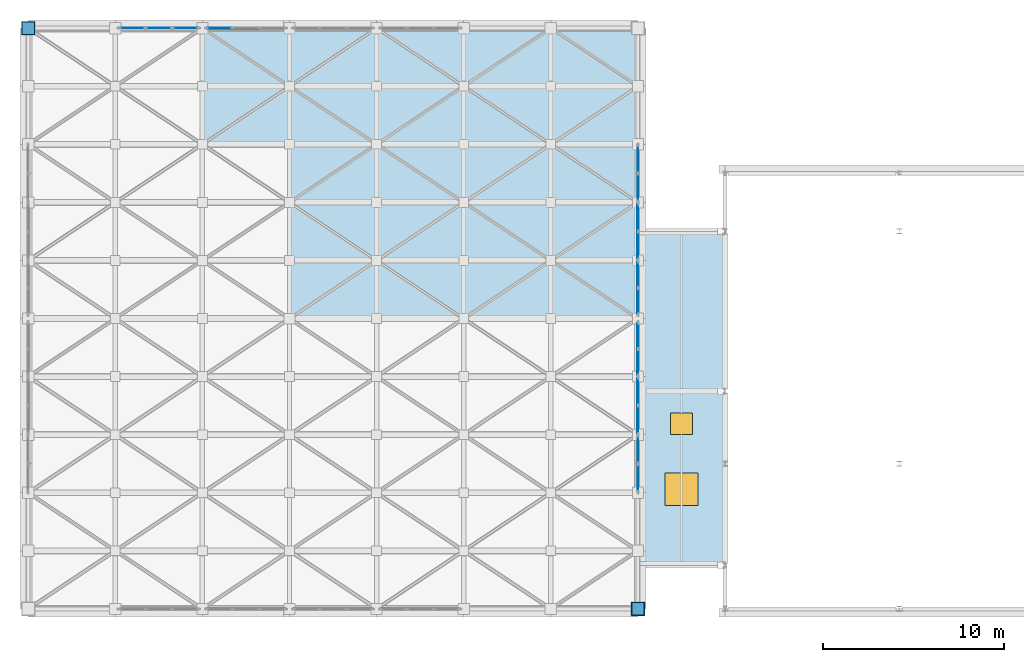
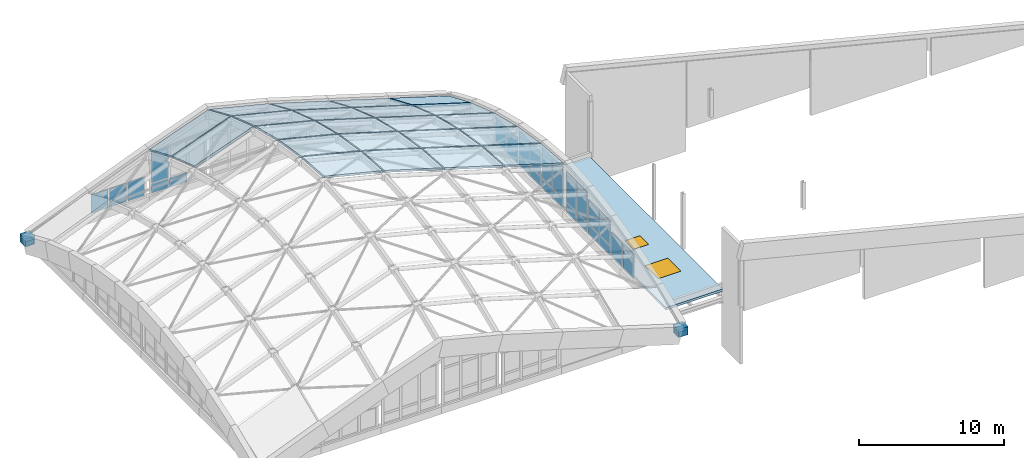
# One storey, part 11 of 14: 30 plates, 23 slabs, 2 windows, 2 openings, 8 elements without a shape of their own.
"""IFC4 building model written with IfcOpenShell, lengths in metres."""

from ifc_helpers import new_model, si_unit, direction, frame, origin, origin_2d, place, context, subcontext, project, spatial, polyline, rectangle, outline, extrude, material, layer, layer_set, type_object, element, fill, aggregate, save


model = new_model("IFC4")

# Units and contexts
model_context = context("Model", 3, precision=1e-05, world=origin(), true_north=direction((0.0, 1.0)))
body_context = subcontext(model_context, "Body", "Model", "MODEL_VIEW")
ifc_project = project(units=[si_unit("LENGTHUNIT", "METRE"), si_unit("AREAUNIT", "SQUARE_METRE"), si_unit("VOLUMEUNIT", "CUBIC_METRE"), si_unit("PLANEANGLEUNIT", "RADIAN"), si_unit("MASSUNIT", "GRAM", prefix="KILO")], contexts=[model_context])

# Site, building, storey
site_placement = place(None, origin())
site = spatial("IfcSite", under=ifc_project, at=site_placement, CompositionType="ELEMENT")
building_placement = place(site_placement, origin())
building = spatial("IfcBuilding", under=site, at=building_placement, Name="Dunescarp Central Library", CompositionType="ELEMENT")
storey_placement = place(building_placement, frame((0.0, 0.0, 31.800048828125)))
storey = spatial("IfcBuildingStorey", under=building, at=storey_placement, Name="ROOF", CompositionType="ELEMENT", Elevation=31.800048828125)

# Curtain wall, plates
ifc_material_1 = material(Name="Marine-grade anodised aluminium 6063-T6", Category="aluminium")
curtain_wall_type = type_object("IfcCurtainWallType", Name="ARC-CW-CROWN", PredefinedType="NOTDEFINED", material=ifc_material_1)
curtain_wall_1_placement = place(storey_placement, origin())
curtain_wall_1 = element("IfcCurtainWall", 1, at=curtain_wall_1_placement, inside=storey, type_object=curtain_wall_type, Name="ROOF curtain wall CW-CROWN-N2", PredefinedType="NOTDEFINED")
ifc_material_2 = material(Name="Solar-control laminated double glazing", Category="glass")
ifc_layer_1 = layer(ifc_material_2, 0.031982421875)
ifc_layer_set_1 = layer_set([ifc_layer_1], Name="Solar-control laminated double glazing")
plate_type_1 = type_object("IfcPlateType", Name="ARC-PLT-GLZ32", PredefinedType="CURTAIN_PANEL", material=ifc_layer_set_1)
plate_1_placement = place(storey_placement, frame((5.7392578125, 36.800048828125, 0.080078125), z_axis=(0.0, 0.0, 1.0), x_axis=(1.0, 0.0, 0.0)))
plate_1 = element("IfcPlate", 2, at=plate_1_placement, type_object=plate_type_1, Name="CW-CROWN-N2 panel 1.1", PredefinedType="CURTAIN_PANEL", context=body_context, shape_type="SweptSolid", body=[
    extrude(rectangle(XDim=1.348388671875, YDim=0.031982421875, at=origin_2d()), origin(), (0.0, 0.0, 1.0), 1.590087890625),
])
plate_2_placement = place(storey_placement, frame((7.199951171875, 36.800048828125, 0.080078125), z_axis=(0.0, 0.0, 1.0), x_axis=(1.0, 0.0, 0.0)))
plate_2 = element("IfcPlate", 3, at=plate_2_placement, type_object=plate_type_1, Name="CW-CROWN-N2 panel 2.1", PredefinedType="CURTAIN_PANEL", context=body_context, shape_type="SweptSolid", body=[
    extrude(rectangle(XDim=1.393310546875, YDim=0.031982421875, at=origin_2d()), origin(), (0.0, 0.0, 1.0), 1.590087890625),
])
plate_3_placement = place(storey_placement, frame((8.660888671875, 36.800048828125, 0.080078125), z_axis=(0.0, 0.0, 1.0), x_axis=(1.0, 0.0, 0.0)))
plate_3 = element("IfcPlate", 4, at=plate_3_placement, type_object=plate_type_1, Name="CW-CROWN-N2 panel 3.1", PredefinedType="CURTAIN_PANEL", context=body_context, shape_type="SweptSolid", body=[
    extrude(rectangle(XDim=1.348388671875, YDim=0.031982421875, at=origin_2d()), origin(), (0.0, 0.0, 1.0), 1.590087890625),
])
aggregate(curtain_wall_1, [plate_1, plate_2, plate_3])

# Curtain wall, plate
curtain_wall_2_placement = place(storey_placement, origin())
curtain_wall_2 = element("IfcCurtainWall", 5, at=curtain_wall_2_placement, inside=storey, type_object=curtain_wall_type, Name="ROOF curtain wall CW-CROWN-N3", PredefinedType="NOTDEFINED")
plate_4_placement = place(storey_placement, frame((10.5390625, 36.800048828125, 0.93994140625), z_axis=(0.0, 0.0, 1.0), x_axis=(1.0, 0.0, 0.0)))
plate_4 = element("IfcPlate", 6, at=plate_4_placement, type_object=plate_type_1, Name="CW-CROWN-N3 panel 1.2", PredefinedType="CURTAIN_PANEL", context=body_context, shape_type="SweptSolid", body=[
    extrude(rectangle(XDim=1.348388671875, YDim=0.031982421875, at=origin_2d()), origin(), (0.0, 0.0, 1.0), 2.6298828125),
])

# Curtain wall, plates
curtain_wall_3_placement = place(storey_placement, origin())
curtain_wall_3 = element("IfcCurtainWall", 7, at=curtain_wall_3_placement, inside=storey, type_object=curtain_wall_type, Name="ROOF curtain wall CW-CROWN-E3", PredefinedType="NOTDEFINED")
plate_5_placement = place(storey_placement, frame((33.60009765625, 13.577392578125, 0.079833984375), z_axis=(0.0, 0.0, 1.0), x_axis=(0.0, -1.0, 0.0)))
plate_5 = element("IfcPlate", 8, at=plate_5_placement, type_object=plate_type_1, Name="CW-CROWN-E3 panel 1.1", PredefinedType="CURTAIN_PANEL", context=body_context, shape_type="SweptSolid", body=[
    extrude(rectangle(XDim=1.465087890625, YDim=0.031982421875, at=origin_2d()), origin(), (0.0, 0.0, 1.0), 2.080078125),
])
plate_6_placement = place(storey_placement, frame((33.60009765625, 12.0224609375, 0.079833984375), z_axis=(0.0, 0.0, 1.0), x_axis=(0.0, -1.0, 0.0)))
plate_6 = element("IfcPlate", 9, at=plate_6_placement, type_object=plate_type_1, Name="CW-CROWN-E3 panel 2.1", PredefinedType="CURTAIN_PANEL", context=body_context, shape_type="SweptSolid", body=[
    extrude(rectangle(XDim=1.465087890625, YDim=0.031982421875, at=origin_2d()), origin(), (0.0, 0.0, 1.0), 2.080078125),
])
aggregate(curtain_wall_3, [plate_5, plate_6])

curtain_wall_4_placement = place(storey_placement, origin())
curtain_wall_4 = element("IfcCurtainWall", 10, at=curtain_wall_4_placement, inside=storey, type_object=curtain_wall_type, Name="ROOF curtain wall CW-CROWN-E4", PredefinedType="NOTDEFINED")
plate_7_placement = place(storey_placement, frame((33.60009765625, 16.777587890625, 0.93994140625), z_axis=(0.0, 0.0, 1.0), x_axis=(0.0, -1.0, 0.0)))
plate_7 = element("IfcPlate", 11, at=plate_7_placement, type_object=plate_type_1, Name="CW-CROWN-E4 panel 1.2", PredefinedType="CURTAIN_PANEL", context=body_context, shape_type="SweptSolid", body=[
    extrude(rectangle(XDim=1.465087890625, YDim=0.031982421875, at=origin_2d()), origin(), (0.0, 0.0, 1.0), 2.02001953125),
])
plate_8_placement = place(storey_placement, frame((33.60009765625, 15.222412109375, 0.93994140625), z_axis=(0.0, 0.0, 1.0), x_axis=(0.0, -1.0, 0.0)))
plate_8 = element("IfcPlate", 12, at=plate_8_placement, type_object=plate_type_1, Name="CW-CROWN-E4 panel 2.2", PredefinedType="CURTAIN_PANEL", context=body_context, shape_type="SweptSolid", body=[
    extrude(rectangle(XDim=1.465087890625, YDim=0.031982421875, at=origin_2d()), origin(), (0.0, 0.0, 1.0), 2.02001953125),
])

curtain_wall_5_placement = place(storey_placement, origin())
curtain_wall_5 = element("IfcCurtainWall", 13, at=curtain_wall_5_placement, inside=storey, type_object=curtain_wall_type, Name="ROOF curtain wall CW-CROWN-E5", PredefinedType="NOTDEFINED")
plate_9_placement = place(storey_placement, frame((33.60009765625, 19.84619140625, 0.93994140625), z_axis=(0.0, 0.0, 1.0), x_axis=(0.0, -1.0, 0.0)))
plate_9 = element("IfcPlate", 14, at=plate_9_placement, type_object=plate_type_1, Name="CW-CROWN-E5 panel 1.2", PredefinedType="CURTAIN_PANEL", context=body_context, shape_type="SweptSolid", body=[
    extrude(rectangle(XDim=1.37744140625, YDim=0.031982421875, at=origin_2d()), origin(), (0.0, 0.0, 1.0), 2.5400390625),
])
plate_10_placement = place(storey_placement, frame((33.60009765625, 18.378662109375, 0.93994140625), z_axis=(0.0, 0.0, 1.0), x_axis=(0.0, -1.0, 0.0)))
plate_10 = element("IfcPlate", 15, at=plate_10_placement, type_object=plate_type_1, Name="CW-CROWN-E5 panel 2.2", PredefinedType="CURTAIN_PANEL", context=body_context, shape_type="SweptSolid", body=[
    extrude(rectangle(XDim=1.37744140625, YDim=0.031982421875, at=origin_2d()), origin(), (0.0, 0.0, 1.0), 2.5400390625),
])

curtain_wall_6_placement = place(storey_placement, origin())
curtain_wall_6 = element("IfcCurtainWall", 16, at=curtain_wall_6_placement, inside=storey, type_object=curtain_wall_type, Name="ROOF curtain wall CW-CROWN-E6", PredefinedType="NOTDEFINED")
plate_11_placement = place(storey_placement, frame((33.60009765625, 23.22119140625, 0.93994140625), z_axis=(0.0, 0.0, 1.0), x_axis=(0.0, -1.0, 0.0)))
plate_11 = element("IfcPlate", 17, at=plate_11_placement, type_object=plate_type_1, Name="CW-CROWN-E6 panel 1.2", PredefinedType="CURTAIN_PANEL", context=body_context, shape_type="SweptSolid", body=[
    extrude(rectangle(XDim=1.37744140625, YDim=0.031982421875, at=origin_2d()), origin(), (0.0, 0.0, 1.0), 2.5400390625),
])
plate_12_placement = place(storey_placement, frame((33.60009765625, 21.753662109375, 0.93994140625), z_axis=(0.0, 0.0, 1.0), x_axis=(0.0, -1.0, 0.0)))
plate_12 = element("IfcPlate", 18, at=plate_12_placement, type_object=plate_type_1, Name="CW-CROWN-E6 panel 2.2", PredefinedType="CURTAIN_PANEL", context=body_context, shape_type="SweptSolid", body=[
    extrude(rectangle(XDim=1.37744140625, YDim=0.031982421875, at=origin_2d()), origin(), (0.0, 0.0, 1.0), 2.5400390625),
])

curtain_wall_7_placement = place(storey_placement, origin())
curtain_wall_7 = element("IfcCurtainWall", 19, at=curtain_wall_7_placement, inside=storey, type_object=curtain_wall_type, Name="ROOF curtain wall CW-CROWN-E7", PredefinedType="NOTDEFINED")
plate_13_placement = place(storey_placement, frame((33.60009765625, 26.37744140625, 0.93994140625), z_axis=(0.0, 0.0, 1.0), x_axis=(0.0, -1.0, 0.0)))
plate_13 = element("IfcPlate", 20, at=plate_13_placement, type_object=plate_type_1, Name="CW-CROWN-E7 panel 1.2", PredefinedType="CURTAIN_PANEL", context=body_context, shape_type="SweptSolid", body=[
    extrude(rectangle(XDim=1.465087890625, YDim=0.031982421875, at=origin_2d()), origin(), (0.0, 0.0, 1.0), 2.02001953125),
])
plate_14_placement = place(storey_placement, frame((33.60009765625, 24.822509765625, 0.93994140625), z_axis=(0.0, 0.0, 1.0), x_axis=(0.0, -1.0, 0.0)))
plate_14 = element("IfcPlate", 21, at=plate_14_placement, type_object=plate_type_1, Name="CW-CROWN-E7 panel 2.2", PredefinedType="CURTAIN_PANEL", context=body_context, shape_type="SweptSolid", body=[
    extrude(rectangle(XDim=1.465087890625, YDim=0.031982421875, at=origin_2d()), origin(), (0.0, 0.0, 1.0), 2.02001953125),
])

curtain_wall_8_placement = place(storey_placement, origin())
curtain_wall_8 = element("IfcCurtainWall", 22, at=curtain_wall_8_placement, inside=storey, type_object=curtain_wall_type, Name="ROOF curtain wall CW-CROWN-E8", PredefinedType="NOTDEFINED")
plate_15_placement = place(storey_placement, frame((33.60009765625, 29.577392578125, 0.079833984375), z_axis=(0.0, 0.0, 1.0), x_axis=(0.0, -1.0, 0.0)))
plate_15 = element("IfcPlate", 23, at=plate_15_placement, type_object=plate_type_1, Name="CW-CROWN-E8 panel 1.1", PredefinedType="CURTAIN_PANEL", context=body_context, shape_type="SweptSolid", body=[
    extrude(rectangle(XDim=1.465087890625, YDim=0.031982421875, at=origin_2d()), origin(), (0.0, 0.0, 1.0), 2.080078125),
])
plate_16_placement = place(storey_placement, frame((33.60009765625, 28.0224609375, 0.079833984375), z_axis=(0.0, 0.0, 1.0), x_axis=(0.0, -1.0, 0.0)))
plate_16 = element("IfcPlate", 24, at=plate_16_placement, type_object=plate_type_1, Name="CW-CROWN-E8 panel 2.1", PredefinedType="CURTAIN_PANEL", context=body_context, shape_type="SweptSolid", body=[
    extrude(rectangle(XDim=1.465087890625, YDim=0.031982421875, at=origin_2d()), origin(), (0.0, 0.0, 1.0), 2.080078125),
])
aggregate(curtain_wall_8, [plate_15, plate_16])

# Plate
ifc_layer_2 = layer(ifc_material_1, 0.050048828125)
ifc_layer_set_2 = layer_set([ifc_layer_2], Name="Marine-grade anodised aluminium 6063-T6")
plate_type_2 = type_object("IfcPlateType", Name="ARC-PLT-SPN50", PredefinedType="SHEET", material=ifc_layer_set_2)
plate_17_placement = place(storey_placement, frame((10.5390625, 36.800048828125, 0.080078125), z_axis=(0.0, 0.0, 1.0), x_axis=(1.0, 0.0, 0.0)))
plate_17 = element("IfcPlate", 25, at=plate_17_placement, type_object=plate_type_2, Name="CW-CROWN-N3 panel 1.1", PredefinedType="SHEET", context=body_context, shape_type="SweptSolid", body=[
    extrude(rectangle(XDim=1.348388671875, YDim=0.050048828125, at=origin_2d()), origin(), (0.0, 0.0, 1.0), 0.780029296875),
])

plate_18_placement = place(storey_placement, frame((12.0, 36.800048828125, 0.080078125), z_axis=(0.0, 0.0, 1.0), x_axis=(1.0, 0.0, 0.0)))
plate_18 = element("IfcPlate", 26, at=plate_18_placement, type_object=plate_type_2, Name="CW-CROWN-N3 panel 2.1", PredefinedType="SHEET", context=body_context, shape_type="SweptSolid", body=[
    extrude(rectangle(XDim=1.393310546875, YDim=0.050048828125, at=origin_2d()), origin(), (0.0, 0.0, 1.0), 0.780029296875),
])

aggregate(curtain_wall_2, [plate_17, plate_4, plate_18])

plate_19_placement = place(storey_placement, frame((33.60009765625, 16.777587890625, 0.080078125), z_axis=(0.0, 0.0, 1.0), x_axis=(0.0, -1.0, 0.0)))
plate_19 = element("IfcPlate", 27, at=plate_19_placement, type_object=plate_type_2, Name="CW-CROWN-E4 panel 1.1", PredefinedType="SHEET", context=body_context, shape_type="SweptSolid", body=[
    extrude(rectangle(XDim=1.465087890625, YDim=0.050048828125, at=origin_2d()), origin(), (0.0, 0.0, 1.0), 0.780029296875),
])

plate_20_placement = place(storey_placement, frame((33.60009765625, 15.222412109375, 0.080078125), z_axis=(0.0, 0.0, 1.0), x_axis=(0.0, -1.0, 0.0)))
plate_20 = element("IfcPlate", 28, at=plate_20_placement, type_object=plate_type_2, Name="CW-CROWN-E4 panel 2.1", PredefinedType="SHEET", context=body_context, shape_type="SweptSolid", body=[
    extrude(rectangle(XDim=1.465087890625, YDim=0.050048828125, at=origin_2d()), origin(), (0.0, 0.0, 1.0), 0.780029296875),
])

aggregate(curtain_wall_4, [plate_19, plate_7, plate_20, plate_8])

plate_21_placement = place(storey_placement, frame((33.60009765625, 19.84619140625, 0.080078125), z_axis=(0.0, 0.0, 1.0), x_axis=(0.0, -1.0, 0.0)))
plate_21 = element("IfcPlate", 29, at=plate_21_placement, type_object=plate_type_2, Name="CW-CROWN-E5 panel 1.1", PredefinedType="SHEET", context=body_context, shape_type="SweptSolid", body=[
    extrude(rectangle(XDim=1.37744140625, YDim=0.050048828125, at=origin_2d()), origin(), (0.0, 0.0, 1.0), 0.780029296875),
])

plate_22_placement = place(storey_placement, frame((33.60009765625, 18.378662109375, 0.080078125), z_axis=(0.0, 0.0, 1.0), x_axis=(0.0, -1.0, 0.0)))
plate_22 = element("IfcPlate", 30, at=plate_22_placement, type_object=plate_type_2, Name="CW-CROWN-E5 panel 2.1", PredefinedType="SHEET", context=body_context, shape_type="SweptSolid", body=[
    extrude(rectangle(XDim=1.37744140625, YDim=0.050048828125, at=origin_2d()), origin(), (0.0, 0.0, 1.0), 0.780029296875),
])

aggregate(curtain_wall_5, [plate_21, plate_9, plate_22, plate_10])

plate_23_placement = place(storey_placement, frame((33.60009765625, 23.22119140625, 0.080078125), z_axis=(0.0, 0.0, 1.0), x_axis=(0.0, -1.0, 0.0)))
plate_23 = element("IfcPlate", 31, at=plate_23_placement, type_object=plate_type_2, Name="CW-CROWN-E6 panel 1.1", PredefinedType="SHEET", context=body_context, shape_type="SweptSolid", body=[
    extrude(rectangle(XDim=1.37744140625, YDim=0.050048828125, at=origin_2d()), origin(), (0.0, 0.0, 1.0), 0.780029296875),
])

plate_24_placement = place(storey_placement, frame((33.60009765625, 21.753662109375, 0.080078125), z_axis=(0.0, 0.0, 1.0), x_axis=(0.0, -1.0, 0.0)))
plate_24 = element("IfcPlate", 32, at=plate_24_placement, type_object=plate_type_2, Name="CW-CROWN-E6 panel 2.1", PredefinedType="SHEET", context=body_context, shape_type="SweptSolid", body=[
    extrude(rectangle(XDim=1.37744140625, YDim=0.050048828125, at=origin_2d()), origin(), (0.0, 0.0, 1.0), 0.780029296875),
])

aggregate(curtain_wall_6, [plate_23, plate_11, plate_24, plate_12])

plate_25_placement = place(storey_placement, frame((33.60009765625, 26.37744140625, 0.080078125), z_axis=(0.0, 0.0, 1.0), x_axis=(0.0, -1.0, 0.0)))
plate_25 = element("IfcPlate", 33, at=plate_25_placement, type_object=plate_type_2, Name="CW-CROWN-E7 panel 1.1", PredefinedType="SHEET", context=body_context, shape_type="SweptSolid", body=[
    extrude(rectangle(XDim=1.465087890625, YDim=0.050048828125, at=origin_2d()), origin(), (0.0, 0.0, 1.0), 0.780029296875),
])

plate_26_placement = place(storey_placement, frame((33.60009765625, 24.822509765625, 0.080078125), z_axis=(0.0, 0.0, 1.0), x_axis=(0.0, -1.0, 0.0)))
plate_26 = element("IfcPlate", 34, at=plate_26_placement, type_object=plate_type_2, Name="CW-CROWN-E7 panel 2.1", PredefinedType="SHEET", context=body_context, shape_type="SweptSolid", body=[
    extrude(rectangle(XDim=1.465087890625, YDim=0.050048828125, at=origin_2d()), origin(), (0.0, 0.0, 1.0), 0.780029296875),
])

aggregate(curtain_wall_7, [plate_25, plate_13, plate_26, plate_14])

# Plates
ifc_material_3 = material(Name="Steel S355J0", Category="steel")
ifc_layer_3 = layer(ifc_material_3, 0.419921875)
ifc_layer_set_3 = layer_set([ifc_layer_3], Name="Steel S355J0")
plate_type_3 = type_object("IfcPlateType", Name="STR-NODE-GN01", PredefinedType="USERDEFINED", material=ifc_layer_set_3)
for number, where, z_axis, x_axis, name in (
    (35, (0.0, 36.800048828125, -0.64990234375), (0.0, 0.0, 1.0), (1.0, 0.0, 0.0), "GN-01 gridshell node GN-010"),
    (36, (33.60009765625, 4.800048828125, -0.64990234375), (0.0, 0.0, 1.0), (1.0, 0.0, 0.0), "GN-01 gridshell node GN-700"),
):
    element("IfcPlate", number, at=place(storey_placement, frame(where, z_axis=z_axis, x_axis=x_axis)), inside=storey, type_object=plate_type_3, Name=name, ObjectType="BASE_PLATE", PredefinedType="USERDEFINED", context=body_context, shape_type="SweptSolid", body=[
        extrude(rectangle(XDim=0.679931640625, YDim=0.679931640625, at=origin_2d()), origin(), (0.0, 0.0, 1.0), 0.419921875),
    ])
ifc_layer_4 = layer(ifc_material_3, 0.035888671875)
ifc_layer_set_4 = layer_set([ifc_layer_4], Name="Steel S355J0")
plate_type_4 = type_object("IfcPlateType", Name="STR-PLT-ECP3", PredefinedType="USERDEFINED", material=ifc_layer_set_4)
for number, where, z_axis, x_axis, name in (
    (37, (33.60009765625, 4.800048828125, -0.64013671875), (0.0, 0.0, 1.0), (1.0, 0.0, 0.0), "Ring beam corner closure ECP-GRB-02"),
    (38, (0.0, 36.800048828125, -0.64013671875), (0.0, 0.0, 1.0), (1.0, 0.0, 0.0), "Ring beam corner closure ECP-GRB-04"),
):
    element("IfcPlate", number, at=place(storey_placement, frame(where, z_axis=z_axis, x_axis=x_axis)), inside=storey, type_object=plate_type_4, Name=name, ObjectType="GUSSET_PLATE", PredefinedType="USERDEFINED", context=body_context, shape_type="SweptSolid", body=[
        extrude(rectangle(XDim=0.760009765625, YDim=0.760009765625, at=origin_2d()), origin(), (0.0, 0.0, 1.0), 0.679931640625),
    ])

# Slabs
ifc_material_4 = material(Name="Concrete C35/45", Category="concrete")
ifc_layer_5 = layer(ifc_material_4, 0.159912109375)
ifc_layer_set_5 = layer_set([ifc_layer_5], Name="Concrete C35/45")
slab_type_1 = type_object("IfcSlabType", Name="STR-SLB-GSCASS160", PredefinedType="ROOF", material=ifc_layer_set_5)
slab_1_placement = place(storey_placement, frame((9.6650390625, 30.465087890625, 6.2919921875), z_axis=(-0.326415342954, 0.302248842402, 0.895599609843), x_axis=(0.939543638812, 6.648126e-06, 0.342429190817)))
element("IfcSlab", 39, at=slab_1_placement, inside=storey, type_object=slab_type_1, Name="Gridshell planar roof cassette GS-CASS-208", PredefinedType="ROOF", context=body_context, shape_type="SweptSolid", body=[
    extrude(outline(polyline([(0.0, 0.0), (4.970377102632446, 0.0), (4.615678991524885, 3.220415394412268), (-0.35478171198422487, 3.2204847250146287), (0.0, 0.0)])), origin(), (0.0, 0.0, -1.0), 0.159912109375),
])
slab_2_placement = place(storey_placement, frame((9.6650390625, 33.6650390625, 5.2060546875), z_axis=(-0.318170224927, 0.370880581479, 0.872476533926), x_axis=(0.939480780861, 7.946563e-06, 0.342601608767)))
element("IfcSlab", 40, at=slab_2_placement, inside=storey, type_object=slab_type_1, Name="Gridshell planar roof cassette GS-CASS-209", PredefinedType="ROOF", context=body_context, shape_type="SweptSolid", body=[
    extrude(outline(polyline([(0.0, 0.0), (4.970711571645076, 1.1102230246251565e-16), (4.52366428872765, 3.3058002107557733), (-0.447130925888316, 3.3058852785552495), (0.0, 0.0)])), origin(), (0.0, 0.0, -1.0), 0.159912109375),
])
slab_3_placement = place(storey_placement, frame((14.465087890625, 20.864990234375, 9.578857421875), z_axis=(0.241992922241, 0.072480964728, 0.967567018525), x_axis=(0.97011862853, 0.0, -0.242631091535)))
element("IfcSlab", 41, at=slab_3_placement, inside=storey, type_object=slab_type_1, Name="Gridshell planar roof cassette GS-CASS-305", PredefinedType="ROOF", context=body_context, shape_type="SweptSolid", body=[
    extrude(outline(polyline([(0.0, 0.0), (4.813763737407569, 0.0), (4.869564149572169, 3.078164560455506), (0.05580041216460083, 3.078164560455506), (0.0, 0.0)])), origin(), (0.0, 0.0, -1.0), 0.159912109375),
])
slab_4_placement = place(storey_placement, frame((14.465087890625, 24.06494140625, 9.3330078125), z_axis=(0.239480751404, 0.155770486528, 0.95832381022), x_axis=(0.97016636354, 0.0, -0.242440151491)))
element("IfcSlab", 42, at=slab_4_placement, inside=storey, type_object=slab_type_1, Name="Gridshell planar roof cassette GS-CASS-306", PredefinedType="ROOF", context=body_context, shape_type="SweptSolid", body=[
    extrude(outline(polyline([(0.0, 0.0), (4.813526886212391, 2.7755575615628914e-17), (4.93451020399752, 3.1080069432399156), (0.12098331778512868, 3.108006943239915), (0.0, 0.0)])), origin(), (0.0, 0.0, -1.0), 0.159912109375),
])
slab_5_placement = place(storey_placement, frame((14.465087890625, 27.264892578125, 8.807861328125), z_axis=(0.235790150223, 0.235785290089, 0.94276630298), x_axis=(0.97011862853, 0.0, -0.242631091535)))
element("IfcSlab", 43, at=slab_5_placement, inside=storey, type_object=slab_type_1, Name="Gridshell planar roof cassette GS-CASS-307", PredefinedType="ROOF", context=body_context, shape_type="SweptSolid", body=[
    extrude(outline(polyline([(0.0, 0.0), (4.813763737407569, 0.0), (5.000061291821231, 3.1591397538007877), (0.186297554413662, 3.1591397538007877), (0.0, 0.0)])), origin(), (0.0, 0.0, -1.0), 0.159912109375),
])
slab_6_placement = place(storey_placement, frame((14.465087890625, 30.465087890625, 8.001953125), z_axis=(0.230610192467, 0.311144589149, 0.921958775528), x_axis=(0.970113237224, -7.274431e-06, -0.242652646615)))
element("IfcSlab", 44, at=slab_6_placement, inside=storey, type_object=slab_type_1, Name="Gridshell planar roof cassette GS-CASS-308", PredefinedType="ROOF", context=body_context, shape_type="SweptSolid", body=[
    extrude(outline(polyline([(0.0, 0.0), (4.813763736091954, 5.551115123125783e-17), (5.0651617740642525, 3.230199831744281), (0.25133879660349545, 3.2301261385894513), (0.0, 0.0)])), origin(), (0.0, 0.0, -1.0), 0.159912109375),
])
slab_7_placement = place(storey_placement, frame((14.465087890625, 33.6650390625, 6.916015625), z_axis=(0.224125294848, 0.381288319432, 0.896876284486), x_axis=(0.97016636354, 0.0, -0.242440151491)))
element("IfcSlab", 45, at=slab_7_placement, inside=storey, type_object=slab_type_1, Name="Gridshell planar roof cassette GS-CASS-309", PredefinedType="ROOF", context=body_context, shape_type="SweptSolid", body=[
    extrude(outline(polyline([(0.0, 0.0), (4.813526886212391, 0.0), (5.129953900341206, 3.320945271444047), (0.316427014128815, 3.320945271444047), (0.0, 0.0)])), origin(), (0.0, 0.0, -1.0), 0.159912109375),
])
slab_8_placement = place(storey_placement, frame((19.264892578125, 20.864990234375, 8.375), z_axis=(0.288319554696, 0.071528989575, 0.954858857649), x_axis=(0.957310989416, 0.0, -0.289059975684)))
element("IfcSlab", 46, at=slab_8_placement, inside=storey, type_object=slab_type_1, Name="Gridshell planar roof cassette GS-CASS-405", PredefinedType="ROOF", context=body_context, shape_type="SweptSolid", body=[
    extrude(outline(polyline([(0.0, 0.0), (4.878420980492843, 1.3877787807814457e-17), (4.944899129197626, 3.0779524692539937), (0.06647814870478416, 3.0779524692539937), (0.0, 0.0)])), origin(), (0.0, 0.0, -1.0), 0.159912109375),
])
slab_9_placement = place(storey_placement, frame((19.264892578125, 24.06494140625, 8.1298828125), z_axis=(0.285758978682, 0.153749019715, 0.945887437827), x_axis=(0.957269435924, 0.0, -0.289197557123)))
element("IfcSlab", 47, at=slab_9_placement, inside=storey, type_object=slab_type_1, Name="Gridshell planar roof cassette GS-CASS-406", PredefinedType="ROOF", context=body_context, shape_type="SweptSolid", body=[
    extrude(outline(polyline([(0.0, 0.0), (4.878632744727143, 2.7755575615628914e-17), (5.0229491037992275, 3.1070109286763055), (0.14431635907208465, 3.107010928676306), (0.0, 0.0)])), origin(), (0.0, 0.0, -1.0), 0.159912109375),
])
slab_10_placement = place(storey_placement, frame((19.264892578125, 27.264892578125, 7.60400390625), z_axis=(0.281288854101, 0.232586012578, 0.931010379809), x_axis=(0.957262134013, 5.418059e-06, -0.28922172594)))
element("IfcSlab", 48, at=slab_10_placement, inside=storey, type_object=slab_type_1, Name="Gridshell planar roof cassette GS-CASS-407", PredefinedType="ROOF", context=body_context, shape_type="SweptSolid", body=[
    extrude(outline(polyline([(0.0, 0.0), (4.878703353873529, 0.0), (5.100508425473381, 3.156608078449609), (0.2218756823727862, 3.156662434958081), (0.0, 0.0)])), origin(), (0.0, 0.0, -1.0), 0.159912109375),
])
slab_11_placement = place(storey_placement, frame((19.264892578125, 30.465087890625, 6.7978515625), z_axis=(0.275020129587, 0.30740033519, 0.910971438766), x_axis=(0.957324836988, 0.0, -0.289014111224)))
element("IfcSlab", 49, at=slab_11_placement, inside=storey, type_object=slab_type_1, Name="Gridshell planar roof cassette GS-CASS-408", PredefinedType="ROOF", context=body_context, shape_type="SweptSolid", body=[
    extrude(outline(polyline([(0.0, 0.0), (4.878350414808366, -1.1102230246251565e-16), (5.177736858637314, 3.2260275621566614), (0.29938644382894775, 3.226027562156662), (0.0, 0.0)])), origin(), (0.0, 0.0, -1.0), 0.159912109375),
])
slab_12_placement = place(storey_placement, frame((19.264892578125, 33.6650390625, 5.712890625), z_axis=(0.267872322134, 0.376883505746, 0.886681026148), x_axis=(0.957269435924, 0.0, -0.289197557123)))
element("IfcSlab", 50, at=slab_12_placement, inside=storey, type_object=slab_type_1, Name="Gridshell planar roof cassette GS-CASS-409", PredefinedType="ROOF", context=body_context, shape_type="SweptSolid", body=[
    extrude(outline(polyline([(0.0, 0.0), (4.878632744727143, 0.0), (5.2560157874083036, 3.314475577981601), (0.3773830426811607, 3.3144755779816015), (0.0, 0.0)])), origin(), (0.0, 0.0, -1.0), 0.159912109375),
])
slab_13_placement = place(storey_placement, frame((24.06494140625, 20.864990234375, 6.925048828125), z_axis=(0.292065813748, 0.071444127153, 0.953726007371), x_axis=(0.956169399478, 0.0, -0.292814069849)))
element("IfcSlab", 51, at=slab_13_placement, inside=storey, type_object=slab_type_1, Name="Gridshell planar roof cassette GS-CASS-505", PredefinedType="ROOF", context=body_context, shape_type="SweptSolid", body=[
    extrude(outline(polyline([(0.0, 0.0), (4.8842454257308505, 0.0), (4.951586942771336, 3.0779337009306516), (0.06734151704048653, 3.0779337009306516), (0.0, 0.0)])), origin(), (0.0, 0.0, -1.0), 0.159912109375),
])
slab_14_placement = place(storey_placement, frame((24.06494140625, 24.06494140625, 6.679931640625), z_axis=(0.289476109367, 0.153569924401, 0.944785616119), x_axis=(0.956127406837, 0.0, -0.292951159573)))
element("IfcSlab", 52, at=slab_14_placement, inside=storey, type_object=slab_type_1, Name="Gridshell planar roof cassette GS-CASS-506", PredefinedType="ROOF", context=body_context, shape_type="SweptSolid", body=[
    extrude(outline(polyline([(0.0, 0.0), (4.884459939365774, 2.7755575615628914e-17), (5.030649434035497, 3.1069233582529896), (0.14618949466972245, 3.1069233582529896), (0.0, 0.0)])), origin(), (0.0, 0.0, -1.0), 0.159912109375),
])
slab_15_placement = place(storey_placement, frame((24.06494140625, 27.264892578125, 6.154052734375), z_axis=(0.284759549777, 0.232616203457, 0.929947149412), x_axis=(0.956176018077, 5.406433e-06, -0.292792456228)))
element("IfcSlab", 53, at=slab_15_placement, inside=storey, type_object=slab_type_1, Name="Gridshell planar roof cassette GS-CASS-507", PredefinedType="ROOF", context=body_context, shape_type="SweptSolid", body=[
    extrude(outline(polyline([(0.0, 0.0), (4.884245424411655, 0.0), (5.109074589629168, 3.1566315268662666), (0.2249006477507717, 3.1566858287450823), (0.0, 0.0)])), origin(), (0.0, 0.0, -1.0), 0.159912109375),
])
slab_16_placement = place(storey_placement, frame((24.06494140625, 30.465087890625, 5.347900390625), z_axis=(0.278642825406, 0.307099129614, 0.909971593205), x_axis=(0.956177056564, -6.98434e-06, -0.292789064774)))
element("IfcSlab", 54, at=slab_16_placement, inside=storey, type_object=slab_type_1, Name="Gridshell planar roof cassette GS-CASS-508", PredefinedType="ROOF", context=body_context, shape_type="SweptSolid", body=[
    extrude(outline(polyline([(0.0, 0.0), (4.884173942236324, 0.0), (5.187520858694426, 3.2257359741770077), (0.3032754347528352, 3.2256642839699854), (0.0, 0.0)])), origin(), (0.0, 0.0, -1.0), 0.159912109375),
])
slab_17_placement = place(storey_placement, frame((24.06494140625, 33.6650390625, 4.261962890625), z_axis=(0.271270135983, 0.376302578314, 0.885894397136), x_axis=(0.956177387468, -8.331786e-06, -0.292787984086)))
element("IfcSlab", 55, at=slab_17_placement, inside=storey, type_object=slab_type_1, Name="Gridshell planar roof cassette GS-CASS-509", PredefinedType="ROOF", context=body_context, shape_type="SweptSolid", body=[
    extrude(outline(polyline([(0.0, 0.0), (4.884173942302284, -1.1102230246251565e-16), (5.266002223255054, 3.313678090218437), (0.38175679951134284, 3.313590244936114), (0.0, 0.0)])), origin(), (0.0, 0.0, -1.0), 0.159912109375),
])
slab_18_placement = place(storey_placement, frame((28.864990234375, 20.864990234375, 5.454833984375), z_axis=(0.293902440027, 0.071402085314, 0.953164780066), x_axis=(0.955603850176, 0.0, -0.294654512147)))
element("IfcSlab", 56, at=slab_18_placement, inside=storey, type_object=slab_type_1, Name="Gridshell planar roof cassette GS-CASS-605", PredefinedType="ROOF", context=body_context, shape_type="SweptSolid", body=[
    extrude(outline(polyline([(0.0, 0.0), (4.886880556350517, 0.0), (4.954645339173288, 3.07792441126337), (0.06776478282276978, 3.0779244112633695), (0.0, 0.0)])), origin(), (0.0, 0.0, -1.0), 0.159912109375),
])
slab_19_placement = place(storey_placement, frame((28.864990234375, 24.06494140625, 5.208984375), z_axis=(0.291176426682, 0.153194502523, 0.944323955505), x_axis=(0.955603850176, 0.0, -0.294654512147)))
element("IfcSlab", 57, at=slab_19_placement, inside=storey, type_object=slab_type_1, Name="Gridshell planar roof cassette GS-CASS-606", PredefinedType="ROOF", context=body_context, shape_type="SweptSolid", body=[
    extrude(outline(polyline([(0.0, 0.0), (4.886880556350517, -2.7755575615628914e-17), (5.033632315329765, 3.106740147191147), (0.14675175897924667, 3.106740147191147), (0.0, 0.0)])), origin(), (0.0, 0.0, -1.0), 0.159912109375),
])
slab_20_placement = place(storey_placement, frame((28.864990234375, 27.264892578125, 4.683837890625), z_axis=(0.286603311411, 0.232482827561, 0.929413942642), x_axis=(0.955597196649, -5.397323e-06, -0.294676089506)))
element("IfcSlab", 58, at=slab_20_placement, inside=storey, type_object=slab_type_1, Name="Gridshell planar roof cassette GS-CASS-607", PredefinedType="ROOF", context=body_context, shape_type="SweptSolid", body=[
    extrude(outline(polyline([(0.0, 0.0), (4.886880555033544, -5.551115123125783e-17), (5.113194789958239, 3.1565847984560733), (0.22624229252003034, 3.1565305598122313), (0.0, 0.0)])), origin(), (0.0, 0.0, -1.0), 0.159912109375),
])
slab_21_placement = place(storey_placement, frame((28.864990234375, 30.465087890625, 3.8779296875), z_axis=(0.280453814662, 0.306930524408, 0.909471995736), x_axis=(0.955597479109, -6.972809e-06, -0.294675173492)))
element("IfcSlab", 59, at=slab_21_placement, inside=storey, type_object=slab_type_1, Name="Gridshell planar roof cassette GS-CASS-608", PredefinedType="ROOF", context=body_context, shape_type="SweptSolid", body=[
    extrude(outline(polyline([(0.0, 0.0), (4.886880555089454, 5.551115123125783e-17), (5.192181766076602, 3.225551595837161), (0.3052292688061192, 3.2254799884174985), (0.0, 0.0)])), origin(), (0.0, 0.0, -1.0), 0.159912109375),
])
slab_22_placement = place(storey_placement, frame((28.864990234375, 33.6650390625, 2.7919921875), z_axis=(0.27304103361, 0.37610675856, 0.885433396778), x_axis=(0.95559781145, -8.318507e-06, -0.29467409571)))
element("IfcSlab", 60, at=slab_22_placement, inside=storey, type_object=slab_type_1, Name="Gridshell planar roof cassette GS-CASS-609", PredefinedType="ROOF", context=body_context, shape_type="SweptSolid", body=[
    extrude(outline(polyline([(0.0, 0.0), (4.886880555155235, 0.0), (5.271168742182505, 3.3133937150680586), (0.3842162451093714, 3.3133059687138973), (0.0, 0.0)])), origin(), (0.0, 0.0, -1.0), 0.159912109375),
])

# Slab, openings, windows
ifc_layer_6 = layer(ifc_material_4, 0.199951171875)
ifc_layer_set_6 = layer_set([ifc_layer_6], Name="Concrete C35/45")
slab_type_2 = type_object("IfcSlabType", Name="STR-SLB-ROOF200", PredefinedType="ROOF", material=ifc_layer_set_6)
slab_23_placement = place(storey_placement, frame((0.0, 0.0, -0.199951171875)))
slab_23 = element("IfcSlab", 61, at=slab_23_placement, inside=storey, type_object=slab_type_2, Name="ROOF flat roof slab GL1", PredefinedType="ROOF", context=body_context, shape_type="SweptSolid", body=[
    extrude(outline(polyline([(33.820068359375, 7.199951171875), (38.35009765625, 7.199951171875), (38.35009765625, 25.60009765625), (33.820068359375, 25.60009765625), (33.820068359375, 7.199951171875)])), origin(), (0.0, 0.0, 1.0), 0.199951171875),
])
opening_1_placement = place(slab_23_placement, frame((36.0, 11.39990234375, -0.010009765625)))
opening_1 = element("IfcOpeningElement", 62, at=opening_1_placement, cuts=slab_23, Name="Opening SKY-01", PredefinedType="OPENING", context=body_context, shape_type="SweptSolid", body=[
    extrude(rectangle(XDim=1.800048828125, YDim=1.800048828125, at=origin_2d()), origin(), (0.0, 0.0, 1.0), 0.219970703125),
])
opening_2_placement = place(slab_23_placement, frame((36.0, 15.0, -0.010009765625)))
opening_2 = element("IfcOpeningElement", 63, at=opening_2_placement, cuts=slab_23, Name="Opening SKY-11", PredefinedType="OPENING", context=body_context, shape_type="SweptSolid", body=[
    extrude(rectangle(XDim=1.199951171875, YDim=1.199951171875, at=origin_2d()), origin(), (0.0, 0.0, 1.0), 0.219970703125),
])
window_type_1 = type_object("IfcWindowType", Name="ARC-WN-SKY1200", PartitioningType="SINGLE_PANEL", PredefinedType="SKYLIGHT", material=ifc_material_2)
window_1_placement = place(slab_23_placement, frame((36.0, 15.0, 0.14990234375)))
window_1 = element("IfcWindow", 64, at=window_1_placement, inside=storey, type_object=window_type_1, Name="ROOF roof smoke-vent skylight SKY-11", OverallHeight=1.199951171875, OverallWidth=1.199951171875, PartitioningType="SINGLE_PANEL", PredefinedType="SKYLIGHT", context=body_context, shape_type="SweptSolid", body=[
    extrude(rectangle(XDim=1.199951171875, YDim=1.199951171875, at=origin_2d()), origin(), (0.0, 0.0, 1.0), 0.050048828125),
])
fill(opening_2, window_1)
window_type_2 = type_object("IfcWindowType", Name="ARC-WN-SKY1800", PartitioningType="SINGLE_PANEL", PredefinedType="SKYLIGHT", material=ifc_material_2)
window_2_placement = place(slab_23_placement, frame((36.0, 11.39990234375, 0.14990234375)))
window_2 = element("IfcWindow", 65, at=window_2_placement, inside=storey, type_object=window_type_2, Name="ROOF roof skylight SKY-01", OverallHeight=1.800048828125, OverallWidth=1.800048828125, PartitioningType="SINGLE_PANEL", PredefinedType="SKYLIGHT", context=body_context, shape_type="SweptSolid", body=[
    extrude(rectangle(XDim=1.800048828125, YDim=1.800048828125, at=origin_2d()), origin(), (0.0, 0.0, 1.0), 0.050048828125),
])
fill(opening_1, window_2)

save(model, "model.ifc")
